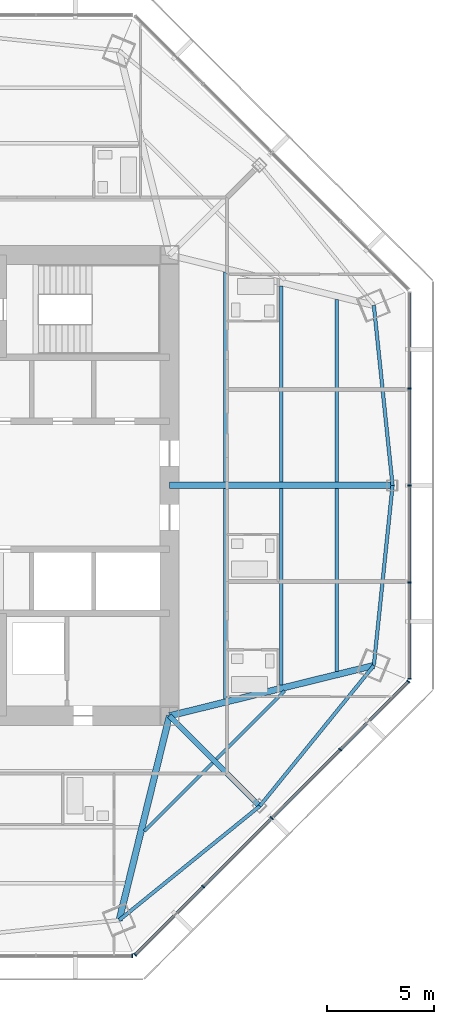
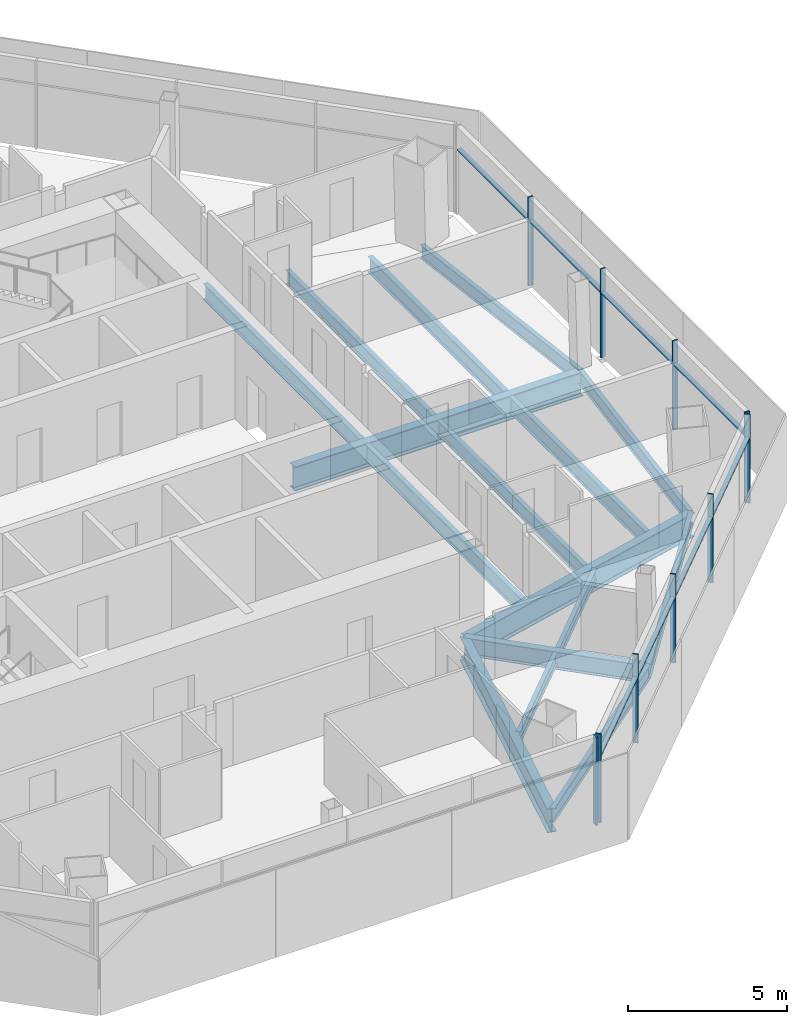
# One storey, part 4 of 15: 18 members, 16 beams, 3 elements without a shape of their own.
"""IFC4 building model written with IfcOpenShell, lengths in metres."""

from ifc_helpers import new_model, si_unit, direction, frame, origin, origin_2d, place, context, subcontext, project, spatial, rectangle, i_section, extrude, source, transform, mapped, material, material_profile, profile_set, type_object, type_shapes, element, aggregate, save


model = new_model("IFC4")

# Units and contexts
model_context = context("Model", 3, precision=1e-05, world=origin(), true_north=direction((0.0, 1.0)))
body_context = subcontext(model_context, "Body", "Model", "MODEL_VIEW")
ifc_project = project(units=[si_unit("LENGTHUNIT", "METRE"), si_unit("AREAUNIT", "SQUARE_METRE"), si_unit("VOLUMEUNIT", "CUBIC_METRE"), si_unit("PLANEANGLEUNIT", "RADIAN"), si_unit("MASSUNIT", "GRAM", prefix="KILO")], contexts=[model_context])

# Site, building, storey
site_placement = place(None, origin())
site = spatial("IfcSite", under=ifc_project, at=site_placement, CompositionType="ELEMENT")
building_placement = place(site_placement, origin())
building = spatial("IfcBuilding", under=site, at=building_placement, Name="Mashrafa Tower", CompositionType="ELEMENT")
storey_placement = place(building_placement, frame((0.0, 0.0, 210.800048828125)))
storey = spatial("IfcBuildingStorey", under=building, at=storey_placement, Name="L48", CompositionType="ELEMENT", Elevation=210.800048828125)

# Beams
ifc_material_1 = material(Name="Steel ASTM A992", Category="steel")
ifc_material_profile_1 = material_profile(ifc_material_1, i_section(OverallWidth=0.15234375, OverallDepth=0.449462890625, WebThickness=0.007568359375, FlangeThickness=0.0107421875, FilletRadius=0.01025390625, at=origin_2d()), Name="W18X35")
ifc_profile_set_1 = profile_set([ifc_material_profile_1], Name="Steel ASTM A992")
beam_type_1 = type_object("IfcBeamType", Name="Beam W18X35", PredefinedType="BEAM", material=ifc_profile_set_1)
for number, where, z_axis, x_axis, name in (
    (1, (12.82568359375, -13.00537109375, -0.4248046875), (-0.707106781187, -0.707106781187, 0.0), (0.707106781187, -0.707106781187, 0.0), "Floor beam L48 024"),
    (2, (16.205078125, -9.6259765625, -0.4248046875), (-0.707106781187, -0.707106781187, 0.0), (0.707106781187, -0.707106781187, 0.0), "Floor beam L48 030"),
):
    element("IfcBeam", number, at=place(storey_placement, frame(where, z_axis=z_axis, x_axis=x_axis)), inside=storey, type_object=beam_type_1, Name=name, PredefinedType="BEAM", context=body_context, shape_type="SweptSolid", body=[
        extrude(i_section(OverallWidth=0.15234375, OverallDepth=0.449462890625, WebThickness=0.007568359375, FlangeThickness=0.0107421875, FilletRadius=0.01025390625, at=origin_2d()), origin(), (0.0, 0.0, 1.0), 4.525146484375),
    ])
ifc_material_2 = material(Name="Steel ASTM A992", Category="steel")
ifc_material_profile_2 = material_profile(ifc_material_2, i_section(OverallWidth=0.1650390625, OverallDepth=0.52587890625, WebThickness=0.0087890625, FlangeThickness=0.011474609375, FilletRadius=0.0126953125, at=origin_2d()), Name="W21X44")
ifc_profile_set_2 = profile_set([ifc_material_profile_2], Name="Steel ASTM A992")
beam_type_2 = type_object("IfcBeamType", Name="Beam W21X44", PredefinedType="BEAM", material=ifc_profile_set_2)
for number, where, z_axis, x_axis, name in (
    (3, (16.028564453125, -0.15380859375, -0.462890625), (0.0, -1.0, 0.0), (1.0, 0.0, 0.0), "Floor beam L48 028"),
    (4, (16.028564453125, 9.35546875, -0.462890625), (0.0, -1.0, 0.0), (1.0, 0.0, 0.0), "Floor beam L48 029"),
):
    element("IfcBeam", number, at=place(storey_placement, frame(where, z_axis=z_axis, x_axis=x_axis)), inside=storey, type_object=beam_type_2, Name=name, PredefinedType="BEAM", context=body_context, shape_type="SweptSolid", body=[
        extrude(i_section(OverallWidth=0.1650390625, OverallDepth=0.52587890625, WebThickness=0.0087890625, FlangeThickness=0.011474609375, FilletRadius=0.0126953125, at=origin_2d()), origin(), (0.0, 0.0, 1.0), 9.20166015625),
    ])
for number, where, z_axis, x_axis, name in (
    (5, (8.441162109375, -20.37890625, -0.462890625), (0.776479921466, 0.630141993173, 0.0), (-0.630141993173, 0.776479921466, 0.0), "Spandrel beam L48 058"),
    (6, (15.031005859375, -15.031005859375, -0.462890625), (0.630141993173, 0.776479921466, 0.0), (-0.776479921466, 0.630141993173, 0.0), "Spandrel beam L48 060"),
    (7, (20.37890625, -8.441162109375, -0.462890625), (0.103476241115, 0.994631925651, 0.0), (-0.994631925651, 0.103476241115, 0.0), "Spandrel beam L48 062"),
    (8, (21.257080078125, 0.0, -0.462890625), (-0.103476241115, 0.994631925651, 0.0), (-0.994631925651, -0.103476241115, 0.0), "Spandrel beam L48 064"),
):
    element("IfcBeam", number, at=place(storey_placement, frame(where, z_axis=z_axis, x_axis=x_axis)), inside=storey, type_object=beam_type_2, Name=name, PredefinedType="BEAM", context=body_context, shape_type="SweptSolid", body=[
        extrude(i_section(OverallWidth=0.1650390625, OverallDepth=0.52587890625, WebThickness=0.0087890625, FlangeThickness=0.011474609375, FilletRadius=0.0126953125, at=origin_2d()), origin(), (0.0, 0.0, 1.0), 8.48681640625),
    ])
ifc_material_3 = material(Name="Steel ASTM A992", Category="steel")
ifc_material_profile_3 = material_profile(ifc_material_3, i_section(OverallWidth=0.177978515625, OverallDepth=0.599365234375, WebThickness=0.010009765625, FlangeThickness=0.012939453125, FilletRadius=0.012939453125, at=origin_2d()), Name="W24X55")
ifc_profile_set_3 = profile_set([ifc_material_profile_3], Name="Steel ASTM A992")
beam_type_3 = type_object("IfcBeamType", Name="Beam W24X55", PredefinedType="BEAM", material=ifc_profile_set_3)
for number, where, z_axis, x_axis, name in (
    (9, (13.414306640625, -0.15380859375, -0.499755859375), (0.0, -1.0, 0.0), (1.0, 0.0, 0.0), "Floor beam L48 026"),
    (10, (13.414306640625, 9.999267578125, -0.499755859375), (0.0, -1.0, 0.0), (1.0, 0.0, 0.0), "Floor beam L48 027"),
):
    element("IfcBeam", number, at=place(storey_placement, frame(where, z_axis=z_axis, x_axis=x_axis)), inside=storey, type_object=beam_type_3, Name=name, PredefinedType="BEAM", context=body_context, shape_type="SweptSolid", body=[
        extrude(i_section(OverallWidth=0.177978515625, OverallDepth=0.599365234375, WebThickness=0.010009765625, FlangeThickness=0.012939453125, FilletRadius=0.012939453125, at=origin_2d()), origin(), (0.0, 0.0, 1.0), 9.845458984375),
    ])
for number, where, z_axis, x_axis, name in (
    (11, (18.642822265625, -0.15380859375, -0.499755859375), (0.0, -1.0, 0.0), (1.0, 0.0, 0.0), "Floor beam L48 031"),
    (12, (18.642822265625, 8.711669921875, -0.499755859375), (0.0, -1.0, 0.0), (1.0, 0.0, 0.0), "Floor beam L48 032"),
):
    element("IfcBeam", number, at=place(storey_placement, frame(where, z_axis=z_axis, x_axis=x_axis)), inside=storey, type_object=beam_type_3, Name=name, PredefinedType="BEAM", context=body_context, shape_type="SweptSolid", body=[
        extrude(i_section(OverallWidth=0.177978515625, OverallDepth=0.599365234375, WebThickness=0.010009765625, FlangeThickness=0.012939453125, FilletRadius=0.012939453125, at=origin_2d()), origin(), (0.0, 0.0, 1.0), 8.557861328125),
    ])
ifc_material_4 = material(Name="Steel ASTM A992", Category="steel")
ifc_material_profile_4 = material_profile(ifc_material_4, i_section(OverallWidth=0.25390625, OverallDepth=0.67822265625, WebThickness=0.01171875, FlangeThickness=0.016357421875, FilletRadius=0.01513671875, at=origin_2d()), Name="W27X84")
ifc_profile_set_4 = profile_set([ifc_material_profile_4], Name="Steel ASTM A992")
beam_type_4 = type_object("IfcBeamType", Name="Beam W27X84", PredefinedType="BEAM", material=ifc_profile_set_4)
beam_1_placement = place(storey_placement, frame((10.800048828125, -10.800048828125, -0.5390625), z_axis=(0.707106781187, -0.707106781187, 0.0), x_axis=(0.707106781187, 0.707106781187, 0.0)))
element("IfcBeam", 13, at=beam_1_placement, inside=storey, type_object=beam_type_4, Name="Radial girder L48 043", PredefinedType="BEAM", context=body_context, shape_type="SweptSolid", body=[
    extrude(i_section(OverallWidth=0.25390625, OverallDepth=0.67822265625, WebThickness=0.01171875, FlangeThickness=0.016357421875, FilletRadius=0.01513671875, at=origin_2d()), origin(), (0.0, 0.0, 1.0), 5.9833984375),
])
ifc_material_5 = material(Name="Steel ASTM A992", Category="steel")
ifc_material_profile_5 = material_profile(ifc_material_5, i_section(OverallWidth=0.3046875, OverallDepth=0.911865234375, WebThickness=0.015869140625, FlangeThickness=0.02392578125, FilletRadius=0.01904296875, at=origin_2d()), Name="W36X150")
ifc_profile_set_5 = profile_set([ifc_material_profile_5], Name="Steel ASTM A992")
beam_type_5 = type_object("IfcBeamType", Name="Beam W36X150", PredefinedType="BEAM", material=ifc_profile_set_5)
for number, where, z_axis, x_axis, name in (
    (14, (10.800048828125, -10.800048828125, -0.656005859375), (-0.2391159727, -0.9709910152, 0.0), (0.9709910152, -0.2391159727, 0.0), "Radial girder L48 042"),
    (15, (10.800048828125, -10.800048828125, -0.656005859375), (0.9709910152, 0.2391159727, 0.0), (-0.2391159727, 0.9709910152, 0.0), "Radial girder L48 044"),
):
    element("IfcBeam", number, at=place(storey_placement, frame(where, z_axis=z_axis, x_axis=x_axis)), inside=storey, type_object=beam_type_5, Name=name, PredefinedType="BEAM", context=body_context, shape_type="SweptSolid", body=[
        extrude(i_section(OverallWidth=0.3046875, OverallDepth=0.911865234375, WebThickness=0.015869140625, FlangeThickness=0.02392578125, FilletRadius=0.01904296875, at=origin_2d()), origin(), (0.0, 0.0, 1.0), 9.864990234375),
    ])
ifc_material_6 = material(Name="Steel ASTM A992", Category="steel")
ifc_material_profile_6 = material_profile(ifc_material_6, i_section(OverallWidth=0.307373046875, OverallDepth=0.927001953125, WebThickness=0.01953125, FlangeThickness=0.031982421875, FilletRadius=0.01904296875, at=origin_2d()), Name="W36X194")
ifc_profile_set_6 = profile_set([ifc_material_profile_6], Name="Steel ASTM A992")
beam_type_6 = type_object("IfcBeamType", Name="Beam W36X194", PredefinedType="BEAM", material=ifc_profile_set_6)
beam_2_placement = place(storey_placement, frame((10.800048828125, 0.0, -0.66357421875), z_axis=(1.0, 0.0, 0.0), x_axis=(0.0, 1.0, 0.0)))
element("IfcBeam", 16, at=beam_2_placement, inside=storey, type_object=beam_type_6, Name="Radial girder L48 045", PredefinedType="BEAM", context=body_context, shape_type="SweptSolid", body=[
    extrude(i_section(OverallWidth=0.307373046875, OverallDepth=0.927001953125, WebThickness=0.01953125, FlangeThickness=0.031982421875, FilletRadius=0.01904296875, at=origin_2d()), origin(), (0.0, 0.0, 1.0), 10.45703125),
])

# Curtain wall, members
ifc_material_7 = material(Name="Unitised aluminium curtain wall", Category="aluminium")
curtain_wall_type = type_object("IfcCurtainWallType", Name="Apartment curtain wall, zone 3 CW-C 180 deep", PredefinedType="NOTDEFINED", material=ifc_material_7)
curtain_wall_1_placement = place(storey_placement, origin())
curtain_wall_1 = element("IfcCurtainWall", 17, at=curtain_wall_1_placement, inside=storey, type_object=curtain_wall_type, Name="Apartment curtain wall, zone 3 L48 east", PredefinedType="NOTDEFINED")
ifc_material_8 = material(Name="Extruded aluminium mullion", Category="aluminium")
ifc_material_profile_7 = material_profile(ifc_material_8, rectangle(XDim=0.179931640625, YDim=0.06005859375, at=origin_2d()), Name="Mullion 60x180")
ifc_profile_set_7 = profile_set([ifc_material_profile_7], Name="Extruded aluminium mullion")
member_type_1 = type_object("IfcMemberType", Name="Mullion CW-C 60 x 180", PredefinedType="MULLION", material=ifc_profile_set_7)
shared_shape_1 = source(origin(), body_context, "Body", "SweptSolid", [
    extrude(rectangle(XDim=0.179931640625, YDim=0.06005859375, at=origin_2d()), origin(), (0.0, 0.0, 1.0), 3.39990234375),
])
type_shapes(member_type_1, [shared_shape_1])
member_1_placement = place(storey_placement, frame((22.051513671875, -9.056640625, 0.0), z_axis=(0.0, 0.0, 1.0), x_axis=(-1.0, 0.0, 0.0)))
member_1 = element("IfcMember", 18, at=member_1_placement, type_object=member_type_1, Name="CW-C mullion 1", PredefinedType="MULLION", context=body_context, shape_type="MappedRepresentation", body=[
    mapped(shared_shape_1, transform((0.0, 0.0, 0.0))),
])
member_2_placement = place(storey_placement, frame((22.051513671875, -4.54345703125, 0.0), z_axis=(0.0, 0.0, 1.0), x_axis=(-1.0, 0.0, 0.0)))
member_2 = element("IfcMember", 19, at=member_2_placement, type_object=member_type_1, Name="CW-C mullion 2", PredefinedType="MULLION", context=body_context, shape_type="MappedRepresentation", body=[
    mapped(shared_shape_1, transform((0.0, 0.0, 0.0))),
])
member_3_placement = place(storey_placement, frame((22.051513671875, 0.0, 0.0), z_axis=(0.0, 0.0, 1.0), x_axis=(-1.0, 0.0, 0.0)))
member_3 = element("IfcMember", 20, at=member_3_placement, type_object=member_type_1, Name="CW-C mullion 3", PredefinedType="MULLION", context=body_context, shape_type="MappedRepresentation", body=[
    mapped(shared_shape_1, transform((0.0, 0.0, 0.0))),
])
member_4_placement = place(storey_placement, frame((22.051513671875, 4.54345703125, 0.0), z_axis=(0.0, 0.0, 1.0), x_axis=(-1.0, 0.0, 0.0)))
member_4 = element("IfcMember", 21, at=member_4_placement, type_object=member_type_1, Name="CW-C mullion 4", PredefinedType="MULLION", context=body_context, shape_type="MappedRepresentation", body=[
    mapped(shared_shape_1, transform((0.0, 0.0, 0.0))),
])

# Curtain wall, member
curtain_wall_2_placement = place(storey_placement, origin())
curtain_wall_2 = element("IfcCurtainWall", 22, at=curtain_wall_2_placement, inside=storey, type_object=curtain_wall_type, Name="Apartment curtain wall, zone 3 L48 south", PredefinedType="NOTDEFINED")
member_5_placement = place(storey_placement, frame((9.056640625, -22.051513671875, 0.0), z_axis=(0.0, 0.0, 1.0), x_axis=(0.0, 1.0, 0.0)))
member_5 = element("IfcMember", 23, at=member_5_placement, type_object=member_type_1, Name="CW-C mullion 5", PredefinedType="MULLION", context=body_context, shape_type="MappedRepresentation", body=[
    mapped(shared_shape_1, transform((0.0, 0.0, 0.0))),
])
aggregate(curtain_wall_2, [member_5])

# Curtain wall, members
curtain_wall_3_placement = place(storey_placement, origin())
curtain_wall_3 = element("IfcCurtainWall", 24, at=curtain_wall_3_placement, inside=storey, type_object=curtain_wall_type, Name="Apartment curtain wall, zone 3 L48 south-east", PredefinedType="NOTDEFINED")
member_6_placement = place(storey_placement, frame((9.188720703125, -21.996826171875, 0.0), z_axis=(0.0, 0.0, 1.0), x_axis=(-0.707106781187, 0.707106781187, 0.0)))
member_6 = element("IfcMember", 25, at=member_6_placement, type_object=member_type_1, Name="CW-C mullion 1", PredefinedType="MULLION", context=body_context, shape_type="MappedRepresentation", body=[
    mapped(shared_shape_1, transform((0.0, 0.0, 0.0))),
])
member_7_placement = place(storey_placement, frame((12.380126953125, -18.805419921875, 0.0), z_axis=(0.0, 0.0, 1.0), x_axis=(-0.707106781187, 0.707106781187, 0.0)))
member_7 = element("IfcMember", 26, at=member_7_placement, type_object=member_type_1, Name="CW-C mullion 2", PredefinedType="MULLION", context=body_context, shape_type="MappedRepresentation", body=[
    mapped(shared_shape_1, transform((0.0, 0.0, 0.0))),
])
member_8_placement = place(storey_placement, frame((15.5927734375, -15.5927734375, 0.0), z_axis=(0.0, 0.0, 1.0), x_axis=(-0.707106781187, 0.707106781187, 0.0)))
member_8 = element("IfcMember", 27, at=member_8_placement, type_object=member_type_1, Name="CW-C mullion 3", PredefinedType="MULLION", context=body_context, shape_type="MappedRepresentation", body=[
    mapped(shared_shape_1, transform((0.0, 0.0, 0.0))),
])
member_9_placement = place(storey_placement, frame((18.805419921875, -12.380126953125, 0.0), z_axis=(0.0, 0.0, 1.0), x_axis=(-0.707106781187, 0.707106781187, 0.0)))
member_9 = element("IfcMember", 28, at=member_9_placement, type_object=member_type_1, Name="CW-C mullion 4", PredefinedType="MULLION", context=body_context, shape_type="MappedRepresentation", body=[
    mapped(shared_shape_1, transform((0.0, 0.0, 0.0))),
])
member_10_placement = place(storey_placement, frame((21.996826171875, -9.188720703125, 0.0), z_axis=(0.0, 0.0, 1.0), x_axis=(-0.707106781187, 0.707106781187, 0.0)))
member_10 = element("IfcMember", 29, at=member_10_placement, type_object=member_type_1, Name="CW-C mullion 5", PredefinedType="MULLION", context=body_context, shape_type="MappedRepresentation", body=[
    mapped(shared_shape_1, transform((0.0, 0.0, 0.0))),
])

# Member
ifc_material_9 = material(Name="Extruded aluminium transom", Category="aluminium")
ifc_material_profile_8 = material_profile(ifc_material_9, rectangle(XDim=0.14404296875, YDim=0.074951171875, at=origin_2d()), Name="Transom 75x144")
ifc_profile_set_8 = profile_set([ifc_material_profile_8], Name="Extruded aluminium transom")
member_type_2 = type_object("IfcMemberType", Name="Transom CW-C 75 x 144", PredefinedType="MULLION", material=ifc_profile_set_8)
shared_shape_2 = source(origin(), body_context, "Body", "SweptSolid", [
    extrude(rectangle(XDim=0.14404296875, YDim=0.074951171875, at=origin_2d()), origin(), (0.0, 0.0, 1.0), 4.453369140625),
])
member_11_placement = place(storey_placement, frame((22.051513671875, -9.02685546875, 2.5), z_axis=(0.0, 1.0, 0.0), x_axis=(-1.0, 0.0, 0.0)))
member_11 = element("IfcMember", 30, at=member_11_placement, type_object=member_type_2, Name="CW-C transom 1", PredefinedType="MULLION", context=body_context, shape_type="MappedRepresentation", body=[
    mapped(shared_shape_2, transform((0.0, 0.0, 0.0))),
])

member_12_placement = place(storey_placement, frame((22.051513671875, 4.573486328125, 2.5), z_axis=(0.0, 1.0, 0.0), x_axis=(-1.0, 0.0, 0.0)))
member_12 = element("IfcMember", 31, at=member_12_placement, type_object=member_type_2, Name="CW-C transom 4", PredefinedType="MULLION", context=body_context, shape_type="MappedRepresentation", body=[
    mapped(shared_shape_2, transform((0.0, 0.0, 0.0))),
])

member_13_placement = place(storey_placement, frame((9.2099609375, -21.9755859375, 2.5), z_axis=(0.707106781187, 0.707106781187, 0.0), x_axis=(-0.707106781187, 0.707106781187, 0.0)))
member_13 = element("IfcMember", 32, at=member_13_placement, type_object=member_type_2, Name="CW-C transom 1", PredefinedType="MULLION", context=body_context, shape_type="MappedRepresentation", body=[
    mapped(shared_shape_2, transform((0.0, 0.0, 0.0))),
])

member_14_placement = place(storey_placement, frame((18.82666015625, -12.35888671875, 2.5), z_axis=(0.707106781187, 0.707106781187, 0.0), x_axis=(-0.707106781187, 0.707106781187, 0.0)))
member_14 = element("IfcMember", 33, at=member_14_placement, type_object=member_type_2, Name="CW-C transom 4", PredefinedType="MULLION", context=body_context, shape_type="MappedRepresentation", body=[
    mapped(shared_shape_2, transform((0.0, 0.0, 0.0))),
])

shared_shape_3 = source(origin(), body_context, "Body", "SweptSolid", [
    extrude(rectangle(XDim=0.14404296875, YDim=0.074951171875, at=origin_2d()), origin(), (0.0, 0.0, 1.0), 4.4833984375),
])
type_shapes(member_type_2, [shared_shape_2, shared_shape_3])
member_15_placement = place(storey_placement, frame((22.051513671875, -4.513427734375, 2.5), z_axis=(0.0, 1.0, 0.0), x_axis=(-1.0, 0.0, 0.0)))
member_15 = element("IfcMember", 34, at=member_15_placement, type_object=member_type_2, Name="CW-C transom 2", PredefinedType="MULLION", context=body_context, shape_type="MappedRepresentation", body=[
    mapped(shared_shape_3, transform((0.0, 0.0, 0.0))),
])

member_16_placement = place(storey_placement, frame((22.051513671875, 0.030029296875, 2.5), z_axis=(0.0, 1.0, 0.0), x_axis=(-1.0, 0.0, 0.0)))
member_16 = element("IfcMember", 35, at=member_16_placement, type_object=member_type_2, Name="CW-C transom 3", PredefinedType="MULLION", context=body_context, shape_type="MappedRepresentation", body=[
    mapped(shared_shape_3, transform((0.0, 0.0, 0.0))),
])

aggregate(curtain_wall_1, [member_1, member_2, member_3, member_4, member_11, member_15, member_16, member_12])

member_17_placement = place(storey_placement, frame((12.4013671875, -18.7841796875, 2.5), z_axis=(0.707106781187, 0.707106781187, 0.0), x_axis=(-0.707106781187, 0.707106781187, 0.0)))
member_17 = element("IfcMember", 36, at=member_17_placement, type_object=member_type_2, Name="CW-C transom 2", PredefinedType="MULLION", context=body_context, shape_type="MappedRepresentation", body=[
    mapped(shared_shape_3, transform((0.0, 0.0, 0.0))),
])

member_18_placement = place(storey_placement, frame((15.614013671875, -15.571533203125, 2.5), z_axis=(0.707106781187, 0.707106781187, 0.0), x_axis=(-0.707106781187, 0.707106781187, 0.0)))
member_18 = element("IfcMember", 37, at=member_18_placement, type_object=member_type_2, Name="CW-C transom 3", PredefinedType="MULLION", context=body_context, shape_type="MappedRepresentation", body=[
    mapped(shared_shape_3, transform((0.0, 0.0, 0.0))),
])

aggregate(curtain_wall_3, [member_6, member_7, member_8, member_9, member_10, member_13, member_17, member_18, member_14])

save(model, "model.ifc")
